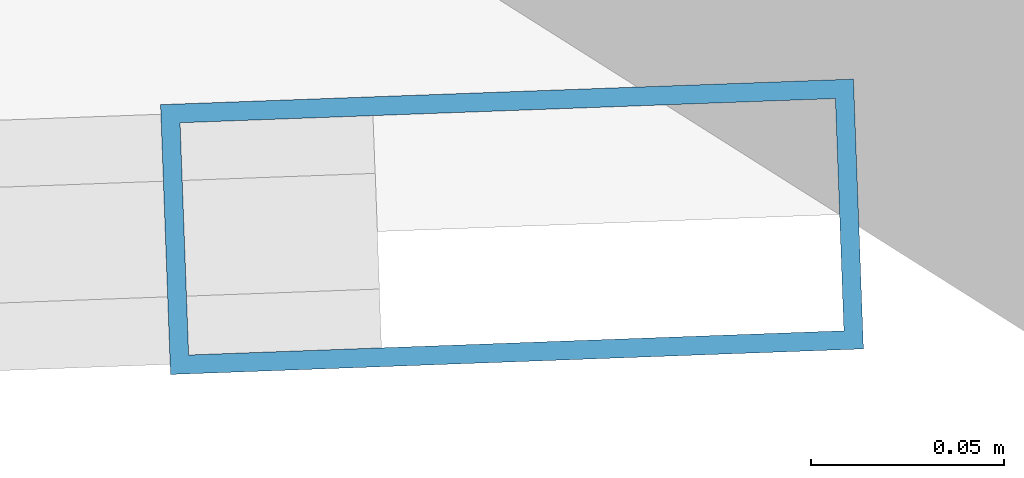
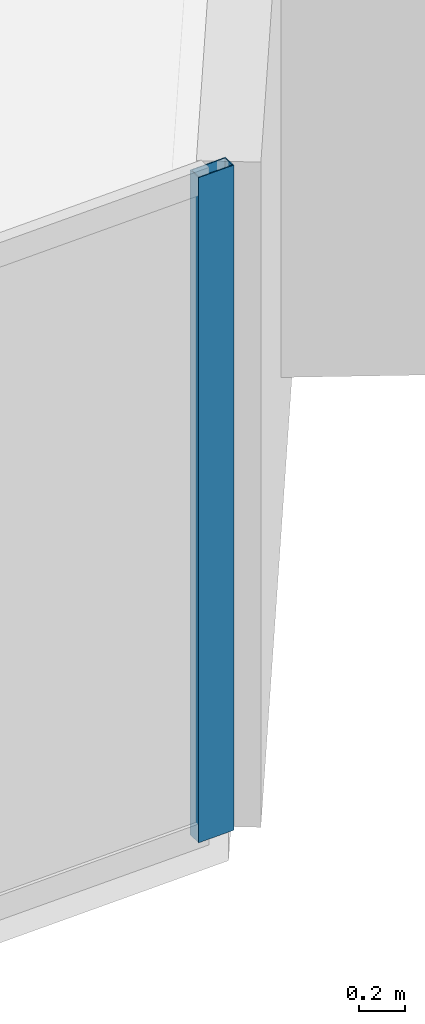
# One storey, part 12 of 23: 1 member, 1 element without a shape of its own.
"""IFC4 building model written with IfcOpenShell, lengths in metres."""

from ifc_helpers import new_model, si_unit, direction, frame, origin, origin_2d, place, context, subcontext, project, spatial, hollow_rectangle, extrude, material, layer, layer_set, material_profile, profile_set, type_object, element, aggregate, save


model = new_model("IFC4")

# Units and contexts
model_context = context("Model", 3, precision=1e-05, world=origin(), true_north=direction((0.0, 1.0)))
body_context = subcontext(model_context, "Body", "Model", "MODEL_VIEW")
ifc_project = project(units=[si_unit("LENGTHUNIT", "METRE"), si_unit("AREAUNIT", "SQUARE_METRE"), si_unit("VOLUMEUNIT", "CUBIC_METRE"), si_unit("PLANEANGLEUNIT", "RADIAN"), si_unit("MASSUNIT", "GRAM", prefix="KILO")], contexts=[model_context])

# Site, building, storey
site_placement = place(None, origin())
site = spatial("IfcSite", under=ifc_project, at=site_placement, CompositionType="ELEMENT")
building_placement = place(site_placement, origin())
building = spatial("IfcBuilding", under=site, at=building_placement, Name="Qianvela Tower", CompositionType="ELEMENT")
storey_placement = place(building_placement, frame((0.0, 0.0, 52.5)))
storey = spatial("IfcBuildingStorey", under=building, at=storey_placement, Name="L12", CompositionType="ELEMENT", Elevation=52.5)

# Curtain wall, member
ifc_material_1 = material(Name="Anodised Architectural Aluminium and Low-E Glass", Category="aluminium")
ifc_layer = layer(ifc_material_1, 0.179931640625)
ifc_layer_set = layer_set([ifc_layer], Name="Anodised Architectural Aluminium and Low-E Glass")
curtain_wall_type = type_object("IfcCurtainWallType", Name="CW-COLIV-Z12", PredefinedType="USERDEFINED", material=ifc_layer_set)
curtain_wall_placement = place(storey_placement, origin())
curtain_wall = element("IfcCurtainWall", 1, at=curtain_wall_placement, inside=storey, type_object=curtain_wall_type, Name="L12 CW-COLIV-Z12 Curtain Wall 06C", ObjectType="CURTAIN_WALL_SYSTEM", PredefinedType="USERDEFINED")
ifc_material_2 = material(Name="Anodised Architectural Aluminium 6063-T6", Category="aluminium")
ifc_material_profile = material_profile(ifc_material_2, hollow_rectangle(XDim=0.070068359375, YDim=0.179931640625, WallThickness=0.0048828125, at=origin_2d()), Name="ALU-MULL-70x180")
ifc_profile_set = profile_set([ifc_material_profile], Name="Anodised Architectural Aluminium 6063-T6")
member_type = type_object("IfcMemberType", Name="CW-COLIV-Z12-MULL", PredefinedType="MULLION", material=ifc_profile_set)
member_placement = place(storey_placement, frame((53.439697265625, 13.236083984375, 0.0), z_axis=(0.0, 0.0, 1.0), x_axis=(-0.036876057012, 0.999319846906, 0.0)))
member = element("IfcMember", 2, at=member_placement, type_object=member_type, Name="CW-3 mullion 2", PredefinedType="MULLION", context=body_context, shape_type="SweptSolid", body=[
    extrude(hollow_rectangle(XDim=0.070068359375, YDim=0.179931640625, WallThickness=0.0048828125, at=origin_2d()), origin(), (0.0, 0.0, 1.0), 3.52001953125),
])
aggregate(curtain_wall, [member])

save(model, "model.ifc")
